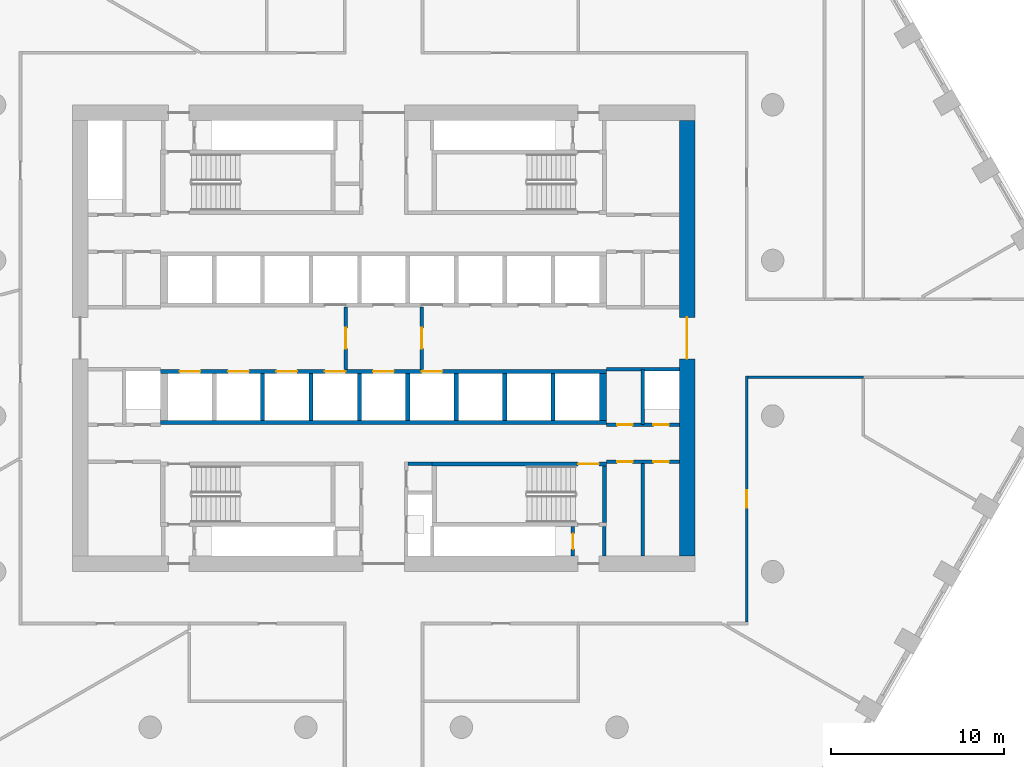
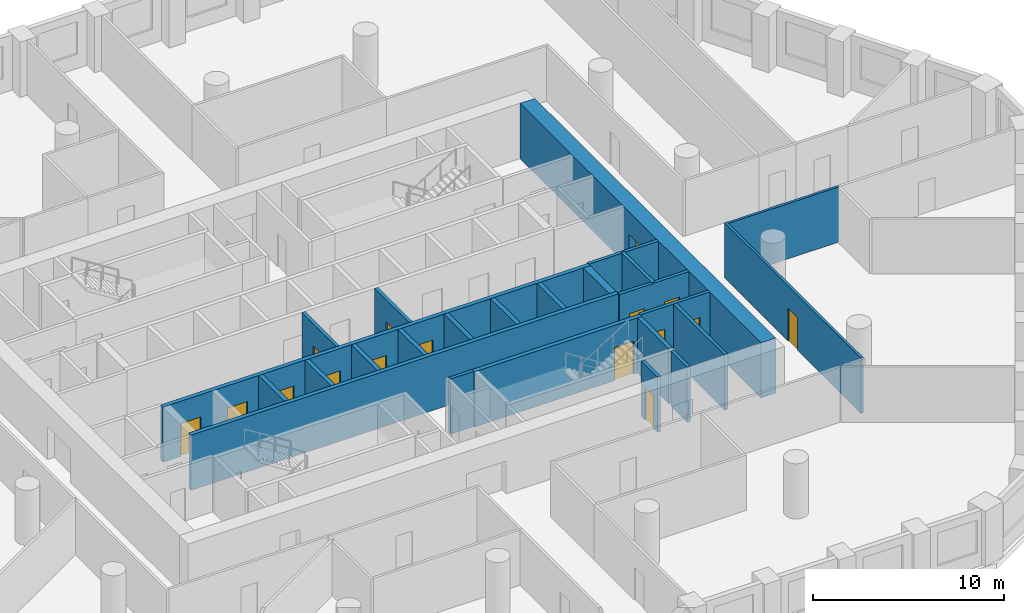
# One storey, part 4 of 10: 25 walls, 16 doors, 16 openings.
"""IFC4 building model written with IfcOpenShell, lengths in metres."""

import ifcopenshell
import ifcopenshell.guid

model = None  # the IFC model being written
_history = None  # IfcOwnerHistory: only IFC2X3 demands one
_inside = {}  # id of a spatial element -> (the spatial element, [elements in it])
_under = {}  # id of a project, library or spatial element -> (it, [spatial elements below it])
_declared = {}  # id of a project -> (the project, [libraries it declares])
_typed = {}  # id of a type object -> (the type object, [elements of that type])
_made_of = {}  # id of a material, layer set ... -> (it, [elements and type objects made of it])


def new_model(schema):
    """Start an empty IFC model of exactly this schema.

    Asked for "IFC4X3", IfcOpenShell would pick the latest addendum, in which some entities
    have other attributes; the version numbers below select the first issue.
    IFC2X3 requires an IfcOwnerHistory on every rooted entity: one is made here for all.
    """
    global model, _history
    if schema == "IFC4X3":
        model = ifcopenshell.file(schema_version=(4, 3, 0, 0))
    else:
        model = ifcopenshell.file(schema=schema)
    _inside.clear()
    _under.clear()
    _declared.clear()
    _typed.clear()
    _made_of.clear()
    _history = None
    if model.schema == "IFC2X3":
        org = make("IfcOrganization", Name="unknown")
        user = make(
            "IfcPersonAndOrganization",
            ThePerson=make("IfcPerson", FamilyName="unknown"),
            TheOrganization=org,
        )
        app = make(
            "IfcApplication",
            ApplicationDeveloper=org,
            Version="unknown",
            ApplicationFullName="unknown",
            ApplicationIdentifier="unknown",
        )
        _history = make(
            "IfcOwnerHistory",
            OwningUser=user,
            OwningApplication=app,
            ChangeAction="ADDED",
            CreationDate=0,
        )
    return model


def make(cls, **values):
    """One entity of the class cls with the attributes given. An attribute that is None is left unset."""
    return model.create_entity(
        cls, **{name: value for name, value in values.items() if value is not None}
    )


def rooted(cls, **values):
    """An entity with a GlobalId (a new one), such as an element, a storey or a relation."""
    return make(cls, GlobalId=ifcopenshell.guid.new(), OwnerHistory=_history, **values)


def si_unit(unit_type, name, prefix=None):
    """IfcSIUnit, for example si_unit("LENGTHUNIT", "METRE", prefix="MILLI")."""
    return make("IfcSIUnit", UnitType=unit_type, Prefix=prefix, Name=name)


def assignment(units):
    """IfcUnitAssignment: the units of a project."""
    return None if units is None else make("IfcUnitAssignment", Units=units)


def point(xyz):
    """IfcCartesianPoint."""
    return None if xyz is None else make("IfcCartesianPoint", Coordinates=xyz)


def direction(xyz):
    """IfcDirection."""
    return None if xyz is None else make("IfcDirection", DirectionRatios=xyz)


def frame(location, z_axis=None, x_axis=None):
    """IfcAxis2Placement3D, a coordinate frame: its origin and axes. An axis left out is left unset."""
    return make(
        "IfcAxis2Placement3D",
        Location=point(location),
        Axis=direction(z_axis),
        RefDirection=direction(x_axis),
    )


def frame_2d(location, x_axis=None):
    """IfcAxis2Placement2D, a coordinate frame in the plane: its origin and x axis."""
    return make(
        "IfcAxis2Placement2D", Location=point(location), RefDirection=direction(x_axis)
    )


def origin():
    """The frame at (0, 0, 0) with its axes left unset."""
    return frame((0.0, 0.0, 0.0))


def place(relative_to, where):
    """IfcLocalPlacement: puts the frame where relative to a parent placement (None: the world)."""
    return make(
        "IfcLocalPlacement", PlacementRelTo=relative_to, RelativePlacement=where
    )


def context(
    kind, dimensions, precision=None, world=None, true_north=None, identifier=None
):
    """IfcGeometricRepresentationContext, for example the 3D "Model" context."""
    return make(
        "IfcGeometricRepresentationContext",
        ContextIdentifier=identifier,
        ContextType=kind,
        CoordinateSpaceDimension=dimensions,
        Precision=precision,
        WorldCoordinateSystem=world,
        TrueNorth=true_north,
    )


def subcontext(parent, identifier, kind, view, scale=None):
    """IfcGeometricRepresentationSubContext, for example "Body" below "Model"."""
    return make(
        "IfcGeometricRepresentationSubContext",
        ContextIdentifier=identifier,
        ContextType=kind,
        ParentContext=parent,
        TargetScale=scale,
        TargetView=view,
    )


def project(units=None, contexts=None):
    """IfcProject with its units and contexts."""
    return rooted(
        "IfcProject",
        Name="project",
        RepresentationContexts=contexts,
        UnitsInContext=assignment(units),
    )


def spatial(cls, under=None, at=None, **own):
    """A site, building, storey or space (cls), placed at a placement, below another one or the project."""
    s = rooted(cls, ObjectPlacement=at, **own)
    if under is not None:
        _under.setdefault(under.id(), (under, []))[1].append(s)
    return s


def polyline(points):
    """IfcPolyline through the points."""
    return make("IfcPolyline", Points=[point(p) for p in points])


def profile(cls, at=None, kind="AREA", **sizes):
    """A parametric profile (cls). Its sizes go by their IFC names, for example OverallWidth=200.0."""
    return make(cls, ProfileType=kind, Position=at, **sizes)


def rectangle(**sizes):
    """IfcRectangleProfileDef."""
    return profile("IfcRectangleProfileDef", **sizes)


def outline(outer, holes=None, kind="AREA"):
    """IfcArbitraryClosedProfileDef: a profile drawn as a closed curve; with holes, ...WithVoids."""
    if holes is None:
        return make("IfcArbitraryClosedProfileDef", ProfileType=kind, OuterCurve=outer)
    return make(
        "IfcArbitraryProfileDefWithVoids",
        ProfileType=kind,
        OuterCurve=outer,
        InnerCurves=holes,
    )


def extrude(swept, where, along, depth):
    """IfcExtrudedAreaSolid: the profile swept, set in the frame where, extruded along a direction by depth."""
    return make(
        "IfcExtrudedAreaSolid",
        SweptArea=swept,
        Position=where,
        ExtrudedDirection=direction(along),
        Depth=depth,
    )


def shape(context_of_items, identifier, shape_type, items):
    """IfcShapeRepresentation: the items that make up one representation, for example the "Body"."""
    return make(
        "IfcShapeRepresentation",
        ContextOfItems=context_of_items,
        RepresentationIdentifier=identifier,
        RepresentationType=shape_type,
        Items=items,
    )


def material(Name=None, Category=None):
    """IfcMaterial."""
    return make("IfcMaterial", Name=Name, Category=Category)


def layer(
    of_material, thickness, ventilated=None, Name=None, Category=None, Priority=None
):
    """IfcMaterialLayer: one layer of a wall or slab, of a material (None: an air gap)."""
    return make(
        "IfcMaterialLayer",
        Material=of_material,
        LayerThickness=thickness,
        IsVentilated=ventilated,
        Name=Name,
        Category=Category,
        Priority=Priority,
    )


def layer_set(layers, Name=None):
    """IfcMaterialLayerSet."""
    return make("IfcMaterialLayerSet", MaterialLayers=layers, LayerSetName=Name)


def made_of(thing, what):
    """Note that an element or type object is made of a material, layer set ...; save() writes the relation."""
    if what is not None:
        _made_of.setdefault(what.id(), (what, []))[1].append(thing)
    return thing


def type_object(cls, material=None, **own):
    """A type object (cls), such as IfcWallType, which elements share."""
    return made_of(rooted(cls, **own), material)


def element(
    cls,
    number,
    at=None,
    inside=None,
    cuts=None,
    type_object=None,
    material=None,
    context=None,
    identifier="Body",
    shape_type=None,
    held_by="IfcProductDefinitionShape",
    body=None,
    shapes=None,
    **own,
):
    """One element of the class cls, such as IfcWall. Its Tag is "e" and its number.

    at: its placement. inside: the storey or other place that contains it. cuts: it is an
    opening in that element (IfcRelVoidsElement). A single representation is given by context,
    identifier, shape_type and body (its items); several are given by shapes. held_by: the class
    of the entity that holds the representations. save() writes the other relations.
    """
    e = rooted(cls, Tag="e%d" % number, ObjectPlacement=at, **own)
    if body is not None:
        shapes = [shape(context, identifier, shape_type, body)]
    if shapes is not None:
        e.Representation = make(held_by, Representations=shapes)
    if inside is not None:
        _inside.setdefault(inside.id(), (inside, []))[1].append(e)
    if cuts is not None:
        rooted(
            "IfcRelVoidsElement", RelatingBuildingElement=cuts, RelatedOpeningElement=e
        )
    if type_object is not None:
        _typed.setdefault(type_object.id(), (type_object, []))[1].append(e)
    return made_of(e, material)


def fill(opening, filler):
    """IfcRelFillsElement: the door or window that sits in an opening."""
    return rooted(
        "IfcRelFillsElement",
        RelatingOpeningElement=opening,
        RelatedBuildingElement=filler,
    )


def aggregate(whole, parts):
    """IfcRelAggregates: a whole, such as a stair, and the parts it consists of."""
    return rooted("IfcRelAggregates", RelatingObject=whole, RelatedObjects=parts)


def save(model, path):
    """Write the relations noted so far, then the file.

    IfcRelAggregates (storeys below a building ...), IfcRelContainedInSpatialStructure (elements
    in a storey), IfcRelDefinesByType, IfcRelAssociatesMaterial and IfcRelDeclares: one each for
    every whole, place, type object, material and project.
    """
    for whole, parts in _under.values():
        aggregate(whole, parts)
    for where, things in _inside.values():
        rooted(
            "IfcRelContainedInSpatialStructure",
            RelatedElements=things,
            RelatingStructure=where,
        )
    for kind, things in _typed.values():
        rooted("IfcRelDefinesByType", RelatedObjects=things, RelatingType=kind)
    for what, things in _made_of.values():
        rooted("IfcRelAssociatesMaterial", RelatedObjects=things, RelatingMaterial=what)
    for by, libraries in _declared.values():
        rooted("IfcRelDeclares", RelatingContext=by, RelatedDefinitions=libraries)
    model.write(path)


model = new_model("IFC4")

# Units and contexts
model_context = context("Model", 3, precision=1e-05, world=origin(), true_north=direction((0.0, 1.0)))
body_context = subcontext(model_context, "Body", "Model", "MODEL_VIEW")
ifc_project = project(units=[si_unit("LENGTHUNIT", "METRE"), si_unit("AREAUNIT", "SQUARE_METRE"), si_unit("VOLUMEUNIT", "CUBIC_METRE"), si_unit("PLANEANGLEUNIT", "RADIAN"), si_unit("MASSUNIT", "GRAM", prefix="KILO")], contexts=[model_context])

# Site, building, storey
site_placement = place(None, origin())
site = spatial("IfcSite", under=ifc_project, at=site_placement, CompositionType="ELEMENT")
building_placement = place(site_placement, origin())
building = spatial("IfcBuilding", under=site, at=building_placement, Name="Dhurran Vertical Campus", CompositionType="ELEMENT")
storey_placement = place(building_placement, frame((0.0, 0.0, 85.199951171875)))
storey = spatial("IfcBuildingStorey", under=building, at=storey_placement, Name="L20", CompositionType="ELEMENT", Elevation=85.199951171875)

# Wall, opening, door
ifc_material_1 = material(Name="Concrete C60/75", Category="concrete")
ifc_layer_1 = layer(ifc_material_1, 0.89990234375)
ifc_layer_set_1 = layer_set([ifc_layer_1], Name="Concrete C60/75")
wall_type_1 = type_object("IfcWallType", Name="co-CORE-WALL-C0-900", PredefinedType="SHEAR", material=ifc_layer_set_1)
wall_1_placement = place(storey_placement, frame((17.550048828125, -12.60009765625, 0.0), z_axis=(0.0, 0.0, 1.0), x_axis=(0.0, 1.0, 0.0)))
wall_1 = element("IfcWall", 1, at=wall_1_placement, inside=storey, type_object=wall_type_1, Name="Core wall E L20", PredefinedType="SHEAR", context=body_context, shape_type="SweptSolid", body=[
    extrude(rectangle(XDim=25.2001953125, YDim=0.89990234375, at=frame_2d((12.60009765625, 0.0))), origin(), (0.0, 0.0, 1.0), 3.525146484375),
])
opening_1_placement = place(wall_1_placement, frame((11.39990234375, 0.0, 0.0)))
opening_1 = element("IfcOpeningElement", 2, at=opening_1_placement, cuts=wall_1, Name="Opening CL2", PredefinedType="OPENING", context=body_context, shape_type="SweptSolid", body=[
    extrude(rectangle(XDim=2.39990234375, YDim=2.10009765625, at=frame_2d((1.199951171875, 1.050048828125))), frame((0.0, 0.4599609375, 0.0), z_axis=(0.0, -1.0, 0.0), x_axis=(1.0, 0.0, 0.0)), (0.0, 0.0, 1.0), 0.919921875),
])
ifc_material_2 = material(Name="Fire-rated glazed door set")
door_type_1 = type_object("IfcDoorType", Name="co-D-LOBBY 2400x2100", OperationType="DOUBLE_DOOR_DOUBLE_SWING", PredefinedType="DOOR", material=ifc_material_2)
door_1_placement = place(opening_1_placement, origin())
door_1 = element("IfcDoor", 3, at=door_1_placement, inside=storey, type_object=door_type_1, Name="Lift lobby door E L20", OperationType="DOUBLE_DOOR_DOUBLE_SWING", OverallHeight=2.10009765625, OverallWidth=2.39990234375, PredefinedType="DOOR", context=body_context, shape_type="SweptSolid", body=[
    extrude(rectangle(XDim=2.39990234375, YDim=2.10009765625, at=frame_2d((1.199951171875, 1.050048828125))), frame((0.0, 0.02490234375, 0.0), z_axis=(0.0, -1.0, 0.0), x_axis=(1.0, 0.0, 0.0)), (0.0, 0.0, 1.0), 0.050048828125),
])
fill(opening_1, door_1)

ifc_material_3 = material(Name="Fire-rated masonry blockwork", Category="masonry")
ifc_layer_2 = layer(ifc_material_3, 0.199951171875)
ifc_layer_set_2 = layer_set([ifc_layer_2], Name="Fire-rated masonry blockwork")
wall_type_2 = type_object("IfcWallType", Name="co-FIRE-PARTITION-200", PredefinedType="PARTITIONING", material=ifc_layer_set_2)
wall_2_placement = place(storey_placement, frame((-2.199951171875, -1.800048828125, 0.0), z_axis=(0.0, 0.0, 1.0), x_axis=(0.0, 1.0, 0.0)))
wall_2 = element("IfcWall", 4, at=wall_2_placement, inside=storey, type_object=wall_type_2, Name="Firefighting lobby wall W L20", PredefinedType="PARTITIONING", context=body_context, shape_type="SweptSolid", body=[
    extrude(rectangle(XDim=3.60009765625, YDim=0.199951171875, at=frame_2d((1.800048828125, 0.0))), origin(), (0.0, 0.0, 1.0), 3.525146484375),
])
opening_2_placement = place(wall_2_placement, frame((1.199951171875, 0.0, 0.0)))
opening_2 = element("IfcOpeningElement", 5, at=opening_2_placement, cuts=wall_2, Name="Opening FL1", PredefinedType="OPENING", context=body_context, shape_type="SweptSolid", body=[
    extrude(rectangle(XDim=1.199951171875, YDim=2.10009765625, at=frame_2d((0.60009765625, 1.050048828125))), frame((0.0, 0.10986328125, 0.0), z_axis=(0.0, -1.0, 0.0), x_axis=(1.0, 0.0, 0.0)), (0.0, 0.0, 1.0), 0.219970703125),
])
ifc_material_4 = material(Name="Fire-rated steel door set", Category="steel")
door_type_2 = type_object("IfcDoorType", Name="co-D-FFLOBBY 1200x2100", OperationType="SINGLE_SWING_LEFT", PredefinedType="DOOR", material=ifc_material_4)
door_2_placement = place(opening_2_placement, origin())
door_2 = element("IfcDoor", 6, at=door_2_placement, inside=storey, type_object=door_type_2, Name="Firefighting lobby door W L20", OperationType="SINGLE_SWING_LEFT", OverallHeight=2.10009765625, OverallWidth=1.199951171875, PredefinedType="DOOR", context=body_context, shape_type="SweptSolid", body=[
    extrude(rectangle(XDim=1.199951171875, YDim=2.10009765625, at=frame_2d((0.60009765625, 1.050048828125))), frame((0.0, 0.02490234375, 0.0), z_axis=(0.0, -1.0, 0.0), x_axis=(1.0, 0.0, 0.0)), (0.0, 0.0, 1.0), 0.050048828125),
])
fill(opening_2, door_2)

wall_3_placement = place(storey_placement, frame((2.199951171875, -1.800048828125, 0.0), z_axis=(0.0, 0.0, 1.0), x_axis=(0.0, 1.0, 0.0)))
wall_3 = element("IfcWall", 7, at=wall_3_placement, inside=storey, type_object=wall_type_2, Name="Firefighting lobby wall E L20", PredefinedType="PARTITIONING", context=body_context, shape_type="SweptSolid", body=[
    extrude(rectangle(XDim=3.60009765625, YDim=0.199951171875, at=frame_2d((1.800048828125, 0.0))), origin(), (0.0, 0.0, 1.0), 3.525146484375),
])
opening_3_placement = place(wall_3_placement, frame((1.199951171875, 0.0, 0.0)))
opening_3 = element("IfcOpeningElement", 8, at=opening_3_placement, cuts=wall_3, Name="Opening FL2", PredefinedType="OPENING", context=body_context, shape_type="SweptSolid", body=[
    extrude(rectangle(XDim=1.199951171875, YDim=2.10009765625, at=frame_2d((0.60009765625, 1.050048828125))), frame((0.0, 0.10986328125, 0.0), z_axis=(0.0, -1.0, 0.0), x_axis=(1.0, 0.0, 0.0)), (0.0, 0.0, 1.0), 0.219970703125),
])
door_3_placement = place(opening_3_placement, origin())
door_3 = element("IfcDoor", 9, at=door_3_placement, inside=storey, type_object=door_type_2, Name="Firefighting lobby door E L20", OperationType="SINGLE_SWING_LEFT", OverallHeight=2.10009765625, OverallWidth=1.199951171875, PredefinedType="DOOR", context=body_context, shape_type="SweptSolid", body=[
    extrude(rectangle(XDim=1.199951171875, YDim=2.10009765625, at=frame_2d((0.60009765625, 1.050048828125))), frame((0.0, 0.02490234375, 0.0), z_axis=(0.0, -1.0, 0.0), x_axis=(1.0, 0.0, 0.0)), (0.0, 0.0, 1.0), 0.050048828125),
])
fill(opening_3, door_3)

# Walls
wall_4_placement = place(storey_placement, frame((1.39990234375, -7.25, 0.0), z_axis=(0.0, 0.0, 1.0), x_axis=(1.0, 0.0, 0.0)))
element("IfcWall", 10, at=wall_4_placement, inside=storey, type_object=wall_type_2, Name="Core partition sl-SE-S L20", PredefinedType="PARTITIONING", context=body_context, shape_type="SweptSolid", body=[
    extrude(rectangle(XDim=1.400146484375, YDim=0.199951171875, at=frame_2d((0.7001953125, 0.0))), origin(), (0.0, 0.0, 1.0), 3.525146484375),
])
wall_5_placement = place(storey_placement, frame((12.75, -12.60009765625, 0.0), z_axis=(0.0, 0.0, 1.0), x_axis=(0.0, 1.0, 0.0)))
element("IfcWall", 11, at=wall_5_placement, inside=storey, type_object=wall_type_2, Name="Core partition pass-ST4-o L20", PredefinedType="PARTITIONING", context=body_context, shape_type="SweptSolid", body=[
    extrude(rectangle(XDim=1.7001953125, YDim=0.199951171875, at=frame_2d((0.85009765625, 0.0))), origin(), (0.0, 0.0, 1.0), 3.525146484375),
])

# Wall, opening, door
wall_6_placement = place(storey_placement, frame((10.949951171875, -12.60009765625, 0.0), z_axis=(0.0, 0.0, 1.0), x_axis=(0.0, 1.0, 0.0)))
wall_6 = element("IfcWall", 12, at=wall_6_placement, inside=storey, type_object=wall_type_2, Name="Core partition pass-ST4-i L20", PredefinedType="PARTITIONING", context=body_context, shape_type="SweptSolid", body=[
    extrude(rectangle(XDim=1.7001953125, YDim=0.199951171875, at=frame_2d((0.85009765625, 0.0))), origin(), (0.0, 0.0, 1.0), 3.525146484375),
])
opening_4_placement = place(wall_6_placement, frame((0.39990234375, 0.0, 0.0)))
opening_4 = element("IfcOpeningElement", 13, at=opening_4_placement, cuts=wall_6, Name="Opening T05-C11", PredefinedType="OPENING", context=body_context, shape_type="SweptSolid", body=[
    extrude(rectangle(XDim=0.89990234375, YDim=2.10009765625, at=frame_2d((0.449951171875, 1.050048828125))), frame((0.0, 0.10986328125, 0.0), z_axis=(0.0, -1.0, 0.0), x_axis=(1.0, 0.0, 0.0)), (0.0, 0.0, 1.0), 0.219970703125),
])
ifc_material_5 = material(Name="Fire-rated timber door set", Category="wood")
door_type_3 = type_object("IfcDoorType", Name="co-D-ROOM 900x2100", OperationType="SINGLE_SWING_LEFT", PredefinedType="DOOR", material=ifc_material_5)
door_4_placement = place(opening_4_placement, origin())
door_4 = element("IfcDoor", 14, at=door_4_placement, inside=storey, type_object=door_type_3, Name="Riser room door L20", OperationType="SINGLE_SWING_LEFT", OverallHeight=2.10009765625, OverallWidth=0.89990234375, PredefinedType="DOOR", context=body_context, shape_type="SweptSolid", body=[
    extrude(rectangle(XDim=0.89990234375, YDim=2.10009765625, at=frame_2d((0.449951171875, 1.050048828125))), frame((0.0, 0.02490234375, 0.0), z_axis=(0.0, -1.0, 0.0), x_axis=(1.0, 0.0, 0.0)), (0.0, 0.0, 1.0), 0.050048828125),
])
fill(opening_4, door_4)

# Wall
wall_7_placement = place(storey_placement, frame((15.0, -12.60009765625, 0.0), z_axis=(0.0, 0.0, 1.0), x_axis=(0.0, 1.0, 0.0)))
element("IfcWall", 15, at=wall_7_placement, inside=storey, type_object=wall_type_2, Name="Core partition en-SE-cut0 L20", PredefinedType="PARTITIONING", context=body_context, shape_type="SweptSolid", body=[
    extrude(rectangle(XDim=5.4501953125, YDim=0.199951171875, at=frame_2d((2.72509765625, 0.0))), origin(), (0.0, 0.0, 1.0), 3.525146484375),
])

# Wall, openings, doors
wall_8_placement = place(storey_placement, frame((12.89990234375, -7.14990234375, 0.0), z_axis=(0.0, 0.0, 1.0), x_axis=(1.0, 0.0, 0.0)))
wall_8 = element("IfcWall", 16, at=wall_8_placement, inside=storey, type_object=wall_type_2, Name="Core partition en-SE-w L20", PredefinedType="PARTITIONING", context=body_context, shape_type="SweptSolid", body=[
    extrude(rectangle(XDim=4.2001953125, YDim=0.199951171875, at=frame_2d((2.10009765625, 0.0))), origin(), (0.0, 0.0, 1.0), 3.525146484375),
])
opening_5_placement = place(wall_8_placement, frame((0.60009765625, 0.0, 0.0)))
opening_5 = element("IfcOpeningElement", 17, at=opening_5_placement, cuts=wall_8, Name="Opening T05-C22", PredefinedType="OPENING", context=body_context, shape_type="SweptSolid", body=[
    extrude(rectangle(XDim=0.89990234375, YDim=2.10009765625, at=frame_2d((0.449951171875, 1.050048828125))), frame((0.0, 0.10986328125, 0.0), z_axis=(0.0, -1.0, 0.0), x_axis=(1.0, 0.0, 0.0)), (0.0, 0.0, 1.0), 0.219970703125),
])
opening_6_placement = place(wall_8_placement, frame((2.699951171875, 0.0, 0.0)))
opening_6 = element("IfcOpeningElement", 18, at=opening_6_placement, cuts=wall_8, Name="Opening T05-C23", PredefinedType="OPENING", context=body_context, shape_type="SweptSolid", body=[
    extrude(rectangle(XDim=0.89990234375, YDim=2.10009765625, at=frame_2d((0.449951171875, 1.050048828125))), frame((0.0, 0.10986328125, 0.0), z_axis=(0.0, -1.0, 0.0), x_axis=(1.0, 0.0, 0.0)), (0.0, 0.0, 1.0), 0.219970703125),
])
door_5_placement = place(opening_5_placement, origin())
door_5 = element("IfcDoor", 19, at=door_5_placement, inside=storey, type_object=door_type_3, Name="Waste room door L20", OperationType="SINGLE_SWING_LEFT", OverallHeight=2.10009765625, OverallWidth=0.89990234375, PredefinedType="DOOR", context=body_context, shape_type="SweptSolid", body=[
    extrude(rectangle(XDim=0.89990234375, YDim=2.10009765625, at=frame_2d((0.449951171875, 1.050048828125))), frame((0.0, 0.02490234375, 0.0), z_axis=(0.0, -1.0, 0.0), x_axis=(1.0, 0.0, 0.0)), (0.0, 0.0, 1.0), 0.050048828125),
])
fill(opening_5, door_5)
door_6_placement = place(opening_6_placement, origin())
door_6 = element("IfcDoor", 20, at=door_6_placement, inside=storey, type_object=door_type_3, Name="Pantry door L20", OperationType="SINGLE_SWING_LEFT", OverallHeight=2.10009765625, OverallWidth=0.89990234375, PredefinedType="DOOR", context=body_context, shape_type="SweptSolid", body=[
    extrude(rectangle(XDim=0.89990234375, YDim=2.10009765625, at=frame_2d((0.449951171875, 1.050048828125))), frame((0.0, 0.02490234375, 0.0), z_axis=(0.0, -1.0, 0.0), x_axis=(1.0, 0.0, 0.0)), (0.0, 0.0, 1.0), 0.050048828125),
])
fill(opening_6, door_6)

# Wall
wall_9_placement = place(storey_placement, frame((15.0, -5.0, 0.0), z_axis=(0.0, 0.0, 1.0), x_axis=(0.0, 1.0, 0.0)))
element("IfcWall", 21, at=wall_9_placement, inside=storey, type_object=wall_type_2, Name="Core partition es-SE-cut0 L20", PredefinedType="PARTITIONING", context=body_context, shape_type="SweptSolid", body=[
    extrude(rectangle(XDim=3.199951171875, YDim=0.199951171875, at=frame_2d((1.60009765625, 0.0))), origin(), (0.0, 0.0, 1.0), 3.525146484375),
])

# Wall, openings, doors
wall_10_placement = place(storey_placement, frame((12.89990234375, -5.0, 0.0), z_axis=(0.0, 0.0, 1.0), x_axis=(1.0, 0.0, 0.0)))
wall_10 = element("IfcWall", 22, at=wall_10_placement, inside=storey, type_object=wall_type_2, Name="Core partition es-SE-w L20", PredefinedType="PARTITIONING", context=body_context, shape_type="SweptSolid", body=[
    extrude(rectangle(XDim=4.2001953125, YDim=0.199951171875, at=frame_2d((2.10009765625, 0.0))), origin(), (0.0, 0.0, 1.0), 3.525146484375),
])
opening_7_placement = place(wall_10_placement, frame((0.60009765625, 0.0, 0.0)))
opening_7 = element("IfcOpeningElement", 23, at=opening_7_placement, cuts=wall_10, Name="Opening T05-C24", PredefinedType="OPENING", context=body_context, shape_type="SweptSolid", body=[
    extrude(rectangle(XDim=0.89990234375, YDim=2.10009765625, at=frame_2d((0.449951171875, 1.050048828125))), frame((0.0, 0.10986328125, 0.0), z_axis=(0.0, -1.0, 0.0), x_axis=(1.0, 0.0, 0.0)), (0.0, 0.0, 1.0), 0.219970703125),
])
opening_8_placement = place(wall_10_placement, frame((2.699951171875, 0.0, 0.0)))
opening_8 = element("IfcOpeningElement", 24, at=opening_8_placement, cuts=wall_10, Name="Opening T05-C25", PredefinedType="OPENING", context=body_context, shape_type="SweptSolid", body=[
    extrude(rectangle(XDim=0.89990234375, YDim=2.10009765625, at=frame_2d((0.449951171875, 1.050048828125))), frame((0.0, 0.10986328125, 0.0), z_axis=(0.0, -1.0, 0.0), x_axis=(1.0, 0.0, 0.0)), (0.0, 0.0, 1.0), 0.219970703125),
])
door_7_placement = place(opening_7_placement, origin())
door_7 = element("IfcDoor", 25, at=door_7_placement, inside=storey, type_object=door_type_3, Name="Plant room door L20", OperationType="SINGLE_SWING_LEFT", OverallHeight=2.10009765625, OverallWidth=0.89990234375, PredefinedType="DOOR", context=body_context, shape_type="SweptSolid", body=[
    extrude(rectangle(XDim=0.89990234375, YDim=2.10009765625, at=frame_2d((0.449951171875, 1.050048828125))), frame((0.0, 0.02490234375, 0.0), z_axis=(0.0, -1.0, 0.0), x_axis=(1.0, 0.0, 0.0)), (0.0, 0.0, 1.0), 0.050048828125),
])
fill(opening_7, door_7)
door_8_placement = place(opening_8_placement, origin())
door_8 = element("IfcDoor", 26, at=door_8_placement, inside=storey, type_object=door_type_3, Name="Water riser door L20", OperationType="SINGLE_SWING_LEFT", OverallHeight=2.10009765625, OverallWidth=0.89990234375, PredefinedType="DOOR", context=body_context, shape_type="SweptSolid", body=[
    extrude(rectangle(XDim=0.89990234375, YDim=2.10009765625, at=frame_2d((0.449951171875, 1.050048828125))), frame((0.0, 0.02490234375, 0.0), z_axis=(0.0, -1.0, 0.0), x_axis=(1.0, 0.0, 0.0)), (0.0, 0.0, 1.0), 0.050048828125),
])
fill(opening_8, door_8)

# Wall
wall_11_placement = place(storey_placement, frame((12.89990234375, -1.800048828125, 0.0), z_axis=(0.0, 0.0, 1.0), x_axis=(1.0, 0.0, 0.0)))
element("IfcWall", 27, at=wall_11_placement, inside=storey, type_object=wall_type_2, Name="Core partition es-SE-l L20", PredefinedType="PARTITIONING", context=body_context, shape_type="SweptSolid", body=[
    extrude(rectangle(XDim=4.2001953125, YDim=0.199951171875, at=frame_2d((2.10009765625, 0.0))), origin(), (0.0, 0.0, 1.0), 3.525146484375),
])

# Wall, openings, doors
ifc_material_6 = material(Name="Concrete C50/60", Category="concrete")
ifc_layer_3 = layer(ifc_material_6, 0.25)
ifc_layer_set_3 = layer_set([ifc_layer_3], Name="Concrete C50/60")
wall_type_3 = type_object("IfcWallType", Name="co-SHAFT-FRONT-250", PredefinedType="SHEAR", material=ifc_layer_set_3)
wall_12_placement = place(storey_placement, frame((-12.89990234375, -1.925048828125, 0.0), z_axis=(0.0, 0.0, 1.0), x_axis=(1.0, 0.0, 0.0)))
wall_12 = element("IfcWall", 28, at=wall_12_placement, inside=storey, type_object=wall_type_3, Name="Lift landing wall S L20", PredefinedType="SHEAR", context=body_context, shape_type="SweptSolid", body=[
    extrude(rectangle(XDim=25.7998046875, YDim=0.25, at=frame_2d((12.89990234375, 0.0))), origin(), (0.0, 0.0, 1.0), 3.525146484375),
])
opening_9_placement = place(wall_12_placement, frame((1.10009765625, 0.0, 0.0)))
opening_9 = element("IfcOpeningElement", 29, at=opening_9_placement, cuts=wall_12, Name="Opening LD", PredefinedType="OPENING", context=body_context, shape_type="SweptSolid", body=[
    extrude(rectangle(XDim=1.199951171875, YDim=2.10009765625, at=frame_2d((0.60009765625, 1.050048828125))), frame((0.0, 0.135009765625, 0.0), z_axis=(0.0, -1.0, 0.0), x_axis=(1.0, 0.0, 0.0)), (0.0, 0.0, 1.0), 0.27001953125),
])
opening_10_placement = place(wall_12_placement, frame((3.89990234375, 0.0, 0.0)))
opening_10 = element("IfcOpeningElement", 30, at=opening_10_placement, cuts=wall_12, Name="Opening LD", PredefinedType="OPENING", context=body_context, shape_type="SweptSolid", body=[
    extrude(rectangle(XDim=1.199951171875, YDim=2.10009765625, at=frame_2d((0.60009765625, 1.050048828125))), frame((0.0, 0.135009765625, 0.0), z_axis=(0.0, -1.0, 0.0), x_axis=(1.0, 0.0, 0.0)), (0.0, 0.0, 1.0), 0.27001953125),
])
opening_11_placement = place(wall_12_placement, frame((6.699951171875, 0.0, 0.0)))
opening_11 = element("IfcOpeningElement", 31, at=opening_11_placement, cuts=wall_12, Name="Opening LD", PredefinedType="OPENING", context=body_context, shape_type="SweptSolid", body=[
    extrude(rectangle(XDim=1.199951171875, YDim=2.10009765625, at=frame_2d((0.60009765625, 1.050048828125))), frame((0.0, 0.135009765625, 0.0), z_axis=(0.0, -1.0, 0.0), x_axis=(1.0, 0.0, 0.0)), (0.0, 0.0, 1.0), 0.27001953125),
])
opening_12_placement = place(wall_12_placement, frame((9.5, 0.0, 0.0)))
opening_12 = element("IfcOpeningElement", 32, at=opening_12_placement, cuts=wall_12, Name="Opening LD", PredefinedType="OPENING", context=body_context, shape_type="SweptSolid", body=[
    extrude(rectangle(XDim=1.199951171875, YDim=2.10009765625, at=frame_2d((0.60009765625, 1.050048828125))), frame((0.0, 0.135009765625, 0.0), z_axis=(0.0, -1.0, 0.0), x_axis=(1.0, 0.0, 0.0)), (0.0, 0.0, 1.0), 0.27001953125),
])
opening_13_placement = place(wall_12_placement, frame((12.300048828125, 0.0, 0.0)))
opening_13 = element("IfcOpeningElement", 33, at=opening_13_placement, cuts=wall_12, Name="Opening LD", PredefinedType="OPENING", context=body_context, shape_type="SweptSolid", body=[
    extrude(rectangle(XDim=1.199951171875, YDim=2.10009765625, at=frame_2d((0.60009765625, 1.050048828125))), frame((0.0, 0.135009765625, 0.0), z_axis=(0.0, -1.0, 0.0), x_axis=(1.0, 0.0, 0.0)), (0.0, 0.0, 1.0), 0.27001953125),
])
opening_14_placement = place(wall_12_placement, frame((15.10009765625, 0.0, 0.0)))
opening_14 = element("IfcOpeningElement", 34, at=opening_14_placement, cuts=wall_12, Name="Opening LD", PredefinedType="OPENING", context=body_context, shape_type="SweptSolid", body=[
    extrude(rectangle(XDim=1.199951171875, YDim=2.10009765625, at=frame_2d((0.60009765625, 1.050048828125))), frame((0.0, 0.135009765625, 0.0), z_axis=(0.0, -1.0, 0.0), x_axis=(1.0, 0.0, 0.0)), (0.0, 0.0, 1.0), 0.27001953125),
])
ifc_material_7 = material(Name="Stainless steel landing door", Category="steel")
door_type_4 = type_object("IfcDoorType", Name="co-D-LANDING 1200x2100", OperationType="DOUBLE_DOOR_SLIDING", PredefinedType="DOOR", material=ifc_material_7)
door_9_placement = place(opening_9_placement, origin())
door_9 = element("IfcDoor", 35, at=door_9_placement, inside=storey, type_object=door_type_4, Name="Landing door LR5 L20", OperationType="DOUBLE_DOOR_SLIDING", OverallHeight=2.10009765625, OverallWidth=1.199951171875, PredefinedType="DOOR", context=body_context, shape_type="SweptSolid", body=[
    extrude(rectangle(XDim=1.199951171875, YDim=2.10009765625, at=frame_2d((0.60009765625, 1.050048828125))), frame((0.0, 0.02490234375, 0.0), z_axis=(0.0, -1.0, 0.0), x_axis=(1.0, 0.0, 0.0)), (0.0, 0.0, 1.0), 0.050048828125),
])
fill(opening_9, door_9)
door_10_placement = place(opening_10_placement, origin())
door_10 = element("IfcDoor", 36, at=door_10_placement, inside=storey, type_object=door_type_4, Name="Landing door LR6 L20", OperationType="DOUBLE_DOOR_SLIDING", OverallHeight=2.10009765625, OverallWidth=1.199951171875, PredefinedType="DOOR", context=body_context, shape_type="SweptSolid", body=[
    extrude(rectangle(XDim=1.199951171875, YDim=2.10009765625, at=frame_2d((0.60009765625, 1.050048828125))), frame((0.0, 0.02490234375, 0.0), z_axis=(0.0, -1.0, 0.0), x_axis=(1.0, 0.0, 0.0)), (0.0, 0.0, 1.0), 0.050048828125),
])
fill(opening_10, door_10)
door_11_placement = place(opening_11_placement, origin())
door_11 = element("IfcDoor", 37, at=door_11_placement, inside=storey, type_object=door_type_4, Name="Landing door LR7 L20", OperationType="DOUBLE_DOOR_SLIDING", OverallHeight=2.10009765625, OverallWidth=1.199951171875, PredefinedType="DOOR", context=body_context, shape_type="SweptSolid", body=[
    extrude(rectangle(XDim=1.199951171875, YDim=2.10009765625, at=frame_2d((0.60009765625, 1.050048828125))), frame((0.0, 0.02490234375, 0.0), z_axis=(0.0, -1.0, 0.0), x_axis=(1.0, 0.0, 0.0)), (0.0, 0.0, 1.0), 0.050048828125),
])
fill(opening_11, door_11)
door_12_placement = place(opening_12_placement, origin())
door_12 = element("IfcDoor", 38, at=door_12_placement, inside=storey, type_object=door_type_4, Name="Landing door LR8 L20", OperationType="DOUBLE_DOOR_SLIDING", OverallHeight=2.10009765625, OverallWidth=1.199951171875, PredefinedType="DOOR", context=body_context, shape_type="SweptSolid", body=[
    extrude(rectangle(XDim=1.199951171875, YDim=2.10009765625, at=frame_2d((0.60009765625, 1.050048828125))), frame((0.0, 0.02490234375, 0.0), z_axis=(0.0, -1.0, 0.0), x_axis=(1.0, 0.0, 0.0)), (0.0, 0.0, 1.0), 0.050048828125),
])
fill(opening_12, door_12)
door_13_placement = place(opening_13_placement, origin())
door_13 = element("IfcDoor", 39, at=door_13_placement, inside=storey, type_object=door_type_4, Name="Landing door FF2 L20", OperationType="DOUBLE_DOOR_SLIDING", OverallHeight=2.10009765625, OverallWidth=1.199951171875, PredefinedType="DOOR", context=body_context, shape_type="SweptSolid", body=[
    extrude(rectangle(XDim=1.199951171875, YDim=2.10009765625, at=frame_2d((0.60009765625, 1.050048828125))), frame((0.0, 0.02490234375, 0.0), z_axis=(0.0, -1.0, 0.0), x_axis=(1.0, 0.0, 0.0)), (0.0, 0.0, 1.0), 0.050048828125),
])
fill(opening_13, door_13)
door_14_placement = place(opening_14_placement, origin())
door_14 = element("IfcDoor", 40, at=door_14_placement, inside=storey, type_object=door_type_4, Name="Landing door SV1 L20", OperationType="DOUBLE_DOOR_SLIDING", OverallHeight=2.10009765625, OverallWidth=1.199951171875, PredefinedType="DOOR", context=body_context, shape_type="SweptSolid", body=[
    extrude(rectangle(XDim=1.199951171875, YDim=2.10009765625, at=frame_2d((0.60009765625, 1.050048828125))), frame((0.0, 0.02490234375, 0.0), z_axis=(0.0, -1.0, 0.0), x_axis=(1.0, 0.0, 0.0)), (0.0, 0.0, 1.0), 0.050048828125),
])
fill(opening_14, door_14)

# Walls
ifc_material_8 = material(Name="Concrete C50/60", Category="concrete")
ifc_layer_4 = layer(ifc_material_8, 0.25)
ifc_layer_set_4 = layer_set([ifc_layer_4], Name="Concrete C50/60")
wall_type_4 = type_object("IfcWallType", Name="co-SHAFT-MASS-250", PredefinedType="SHEAR", material=ifc_layer_set_4)
wall_13_placement = place(storey_placement, origin())
element("IfcWall", 41, at=wall_13_placement, inside=storey, type_object=wall_type_4, Name="Lift shaft wall S L20 1", PredefinedType="SHEAR", context=body_context, shape_type="SweptSolid", body=[
    extrude(outline(polyline([(-12.89990234375, -5.0), (12.89990234375, -5.0), (12.89990234375, -4.75), (-12.89990234375, -4.75), (-12.89990234375, -5.0)])), origin(), (0.0, 0.0, 1.0), 3.525146484375),
])
wall_14_placement = place(storey_placement, origin())
element("IfcWall", 42, at=wall_14_placement, inside=storey, type_object=wall_type_4, Name="Lift shaft wall S L20 4", PredefinedType="SHEAR", context=body_context, shape_type="SweptSolid", body=[
    extrude(outline(polyline([(-7.125, -4.75), (-6.875, -4.75), (-6.875, -2.050048828125), (-7.125, -2.050048828125), (-7.125, -4.75)])), origin(), (0.0, 0.0, 1.0), 3.525146484375),
])
wall_15_placement = place(storey_placement, origin())
element("IfcWall", 43, at=wall_15_placement, inside=storey, type_object=wall_type_4, Name="Lift shaft wall S L20 5", PredefinedType="SHEAR", context=body_context, shape_type="SweptSolid", body=[
    extrude(outline(polyline([(-4.324951171875, -4.75), (-4.074951171875, -4.75), (-4.074951171875, -2.050048828125), (-4.324951171875, -2.050048828125), (-4.324951171875, -4.75)])), origin(), (0.0, 0.0, 1.0), 3.525146484375),
])
wall_16_placement = place(storey_placement, origin())
element("IfcWall", 44, at=wall_16_placement, inside=storey, type_object=wall_type_4, Name="Lift shaft wall S L20 6", PredefinedType="SHEAR", context=body_context, shape_type="SweptSolid", body=[
    extrude(outline(polyline([(-1.52490234375, -4.75), (-1.27490234375, -4.75), (-1.27490234375, -2.050048828125), (-1.52490234375, -2.050048828125), (-1.52490234375, -4.75)])), origin(), (0.0, 0.0, 1.0), 3.525146484375),
])
wall_17_placement = place(storey_placement, origin())
element("IfcWall", 45, at=wall_17_placement, inside=storey, type_object=wall_type_4, Name="Lift shaft wall S L20 7", PredefinedType="SHEAR", context=body_context, shape_type="SweptSolid", body=[
    extrude(outline(polyline([(1.27490234375, -4.75), (1.52490234375, -4.75), (1.52490234375, -2.050048828125), (1.27490234375, -2.050048828125), (1.27490234375, -4.75)])), origin(), (0.0, 0.0, 1.0), 3.525146484375),
])
wall_18_placement = place(storey_placement, origin())
element("IfcWall", 46, at=wall_18_placement, inside=storey, type_object=wall_type_4, Name="Lift shaft wall S L20 8", PredefinedType="SHEAR", context=body_context, shape_type="SweptSolid", body=[
    extrude(outline(polyline([(4.074951171875, -4.75), (4.324951171875, -4.75), (4.324951171875, -2.050048828125), (4.074951171875, -2.050048828125), (4.074951171875, -4.75)])), origin(), (0.0, 0.0, 1.0), 3.525146484375),
])
wall_19_placement = place(storey_placement, origin())
element("IfcWall", 47, at=wall_19_placement, inside=storey, type_object=wall_type_4, Name="Lift shaft wall S L20 9", PredefinedType="SHEAR", context=body_context, shape_type="SweptSolid", body=[
    extrude(outline(polyline([(6.875, -4.75), (7.125, -4.75), (7.125, -2.050048828125), (6.875, -2.050048828125), (6.875, -4.75)])), origin(), (0.0, 0.0, 1.0), 3.525146484375),
])
wall_20_placement = place(storey_placement, origin())
element("IfcWall", 48, at=wall_20_placement, inside=storey, type_object=wall_type_4, Name="Lift shaft wall S L20 10", PredefinedType="SHEAR", context=body_context, shape_type="SweptSolid", body=[
    extrude(outline(polyline([(9.675048828125, -4.75), (9.925048828125, -4.75), (9.925048828125, -2.050048828125), (9.675048828125, -2.050048828125), (9.675048828125, -4.75)])), origin(), (0.0, 0.0, 1.0), 3.525146484375),
])
wall_21_placement = place(storey_placement, origin())
element("IfcWall", 49, at=wall_21_placement, inside=storey, type_object=wall_type_4, Name="Lift shaft wall S L20 11", PredefinedType="SHEAR", context=body_context, shape_type="SweptSolid", body=[
    extrude(outline(polyline([(12.47509765625, -4.75), (12.89990234375, -4.75), (12.89990234375, -2.050048828125), (12.47509765625, -2.050048828125), (12.47509765625, -4.75)])), origin(), (0.0, 0.0, 1.0), 3.525146484375),
])

# Wall, opening, door
ifc_material_9 = material(Name="Concrete C40/50", Category="concrete")
ifc_layer_5 = layer(ifc_material_9, 0.25)
ifc_layer_set_5 = layer_set([ifc_layer_5], Name="Concrete C40/50")
wall_type_5 = type_object("IfcWallType", Name="co-STAIR-WALL-250", PredefinedType="SHEAR", material=ifc_layer_set_5)
wall_22_placement = place(storey_placement, frame((2.800048828125, -7.27490234375, 0.0), z_axis=(0.0, 0.0, 1.0), x_axis=(1.0, 0.0, 0.0)))
wall_22 = element("IfcWall", 50, at=wall_22_placement, inside=storey, type_object=wall_type_5, Name="Stair ST4 enclosure wall L20", PredefinedType="SHEAR", context=body_context, shape_type="SweptSolid", body=[
    extrude(rectangle(XDim=10.099853515625, YDim=0.25, at=frame_2d((5.0498046875, 0.0))), origin(), (0.0, 0.0, 1.0), 3.525146484375),
])
opening_15_placement = place(wall_22_placement, frame((8.449951171875, 0.0, 0.0)))
opening_15 = element("IfcOpeningElement", 51, at=opening_15_placement, cuts=wall_22, Name="Opening SD4", PredefinedType="OPENING", context=body_context, shape_type="SweptSolid", body=[
    extrude(rectangle(XDim=1.199951171875, YDim=2.10009765625, at=frame_2d((0.60009765625, 1.050048828125))), frame((0.0, 0.135009765625, 0.0), z_axis=(0.0, -1.0, 0.0), x_axis=(1.0, 0.0, 0.0)), (0.0, 0.0, 1.0), 0.27001953125),
])
ifc_material_10 = material(Name="Fire-rated steel door set", Category="steel")
door_type_5 = type_object("IfcDoorType", Name="co-D-STAIR 1200x2100", OperationType="SINGLE_SWING_LEFT", PredefinedType="DOOR", material=ifc_material_10)
door_15_placement = place(opening_15_placement, origin())
door_15 = element("IfcDoor", 52, at=door_15_placement, inside=storey, type_object=door_type_5, Name="Stair ST4 door L20", OperationType="SINGLE_SWING_LEFT", OverallHeight=2.10009765625, OverallWidth=1.199951171875, PredefinedType="DOOR", context=body_context, shape_type="SweptSolid", body=[
    extrude(rectangle(XDim=1.199951171875, YDim=2.10009765625, at=frame_2d((0.60009765625, 1.050048828125))), frame((0.0, 0.02490234375, 0.0), z_axis=(0.0, -1.0, 0.0), x_axis=(1.0, 0.0, 0.0)), (0.0, 0.0, 1.0), 0.050048828125),
])
fill(opening_15, door_15)

# Wall
wall_23_placement = place(storey_placement, frame((12.77490234375, -10.64990234375, 0.0), z_axis=(0.0, 0.0, 1.0), x_axis=(0.0, 1.0, 0.0)))
element("IfcWall", 53, at=wall_23_placement, inside=storey, type_object=wall_type_5, Name="Stair ST4 enclosure wall L20", PredefinedType="SHEAR", context=body_context, shape_type="SweptSolid", body=[
    extrude(rectangle(XDim=3.25, YDim=0.25, at=frame_2d((1.625, 0.0))), origin(), (0.0, 0.0, 1.0), 3.525146484375),
])

# Wall, opening, door
ifc_material_11 = material(Name="Gypsum board corridor wall on steel studs", Category="steel")
ifc_layer_6 = layer(ifc_material_11, 0.14990234375)
ifc_layer_set_6 = layer_set([ifc_layer_6], Name="Gypsum board corridor wall on steel studs")
wall_type_6 = type_object("IfcWallType", Name="fl-CW-150 corridor wall", PredefinedType="PARTITIONING", material=ifc_layer_set_6)
wall_24_placement = place(storey_placement, frame((21.0, -16.425048828125, 0.0), z_axis=(0.0, 0.0, 1.0), x_axis=(0.0, 1.0, 0.0)))
wall_24 = element("IfcWall", 54, at=wall_24_placement, inside=storey, type_object=wall_type_6, Name="Partition 20-37", PredefinedType="PARTITIONING", context=body_context, shape_type="SweptSolid", body=[
    extrude(rectangle(XDim=14.25, YDim=0.14990234375, at=frame_2d((7.125, 0.0))), origin(), (0.0, 0.0, 1.0), 3.525146484375),
])
opening_16_placement = place(wall_24_placement, frame((6.625, 0.0, 0.0)))
opening_16 = element("IfcOpeningElement", 55, at=opening_16_placement, cuts=wall_24, Name="Opening T05.12", PredefinedType="OPENING", context=body_context, shape_type="SweptSolid", body=[
    extrude(rectangle(XDim=1.0, YDim=2.10009765625, at=frame_2d((0.5, 1.050048828125))), frame((0.0, 0.0849609375, 0.0), z_axis=(0.0, -1.0, 0.0), x_axis=(1.0, 0.0, 0.0)), (0.0, 0.0, 1.0), 0.169921875),
])
ifc_material_12 = material(Name="Solid-core timber door set, fire-rated", Category="wood")
door_type_6 = type_object("IfcDoorType", Name="fl-D-1000x2100", OperationType="SINGLE_SWING_LEFT", PredefinedType="DOOR", material=ifc_material_12)
door_16_placement = place(opening_16_placement, origin())
door_16 = element("IfcDoor", 56, at=door_16_placement, inside=storey, type_object=door_type_6, Name="Door 20.12", OperationType="SINGLE_SWING_RIGHT", OverallHeight=2.10009765625, OverallWidth=1.0, PredefinedType="DOOR", context=body_context, shape_type="SweptSolid", body=[
    extrude(rectangle(XDim=1.0, YDim=2.10009765625, at=frame_2d((0.5, 1.050048828125))), frame((0.0, 0.02490234375, 0.0), z_axis=(0.0, -1.0, 0.0), x_axis=(1.0, 0.0, 0.0)), (0.0, 0.0, 1.0), 0.050048828125),
])
fill(opening_16, door_16)

# Wall
wall_25_placement = place(storey_placement, frame((27.75, -2.25, 0.0), z_axis=(0.0, 0.0, 1.0), x_axis=(-1.0, 0.0, 0.0)))
element("IfcWall", 57, at=wall_25_placement, inside=storey, type_object=wall_type_6, Name="Partition 20-38", PredefinedType="PARTITIONING", context=body_context, shape_type="SweptSolid", body=[
    extrude(rectangle(XDim=6.675048828125, YDim=0.14990234375, at=frame_2d((3.33740234375, 0.0))), origin(), (0.0, 0.0, 1.0), 3.525146484375),
])

save(model, "model.ifc")
